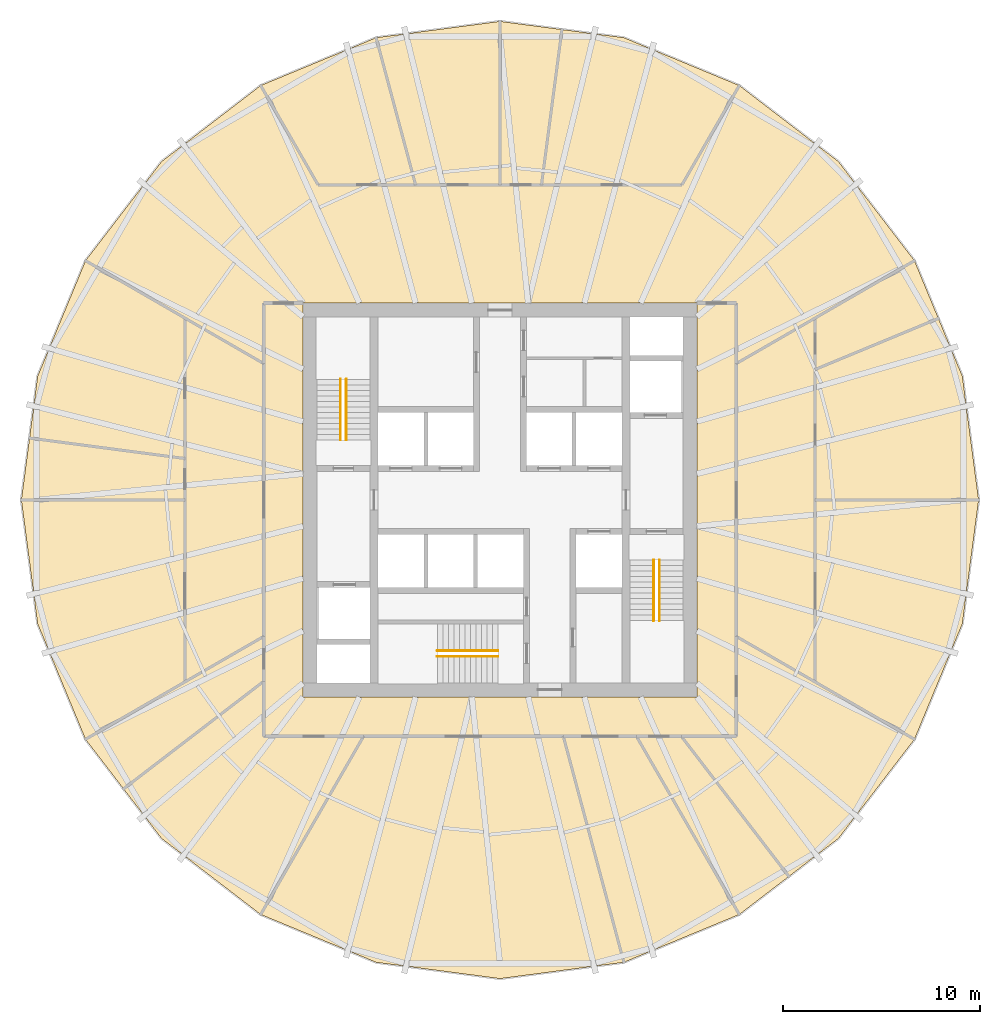
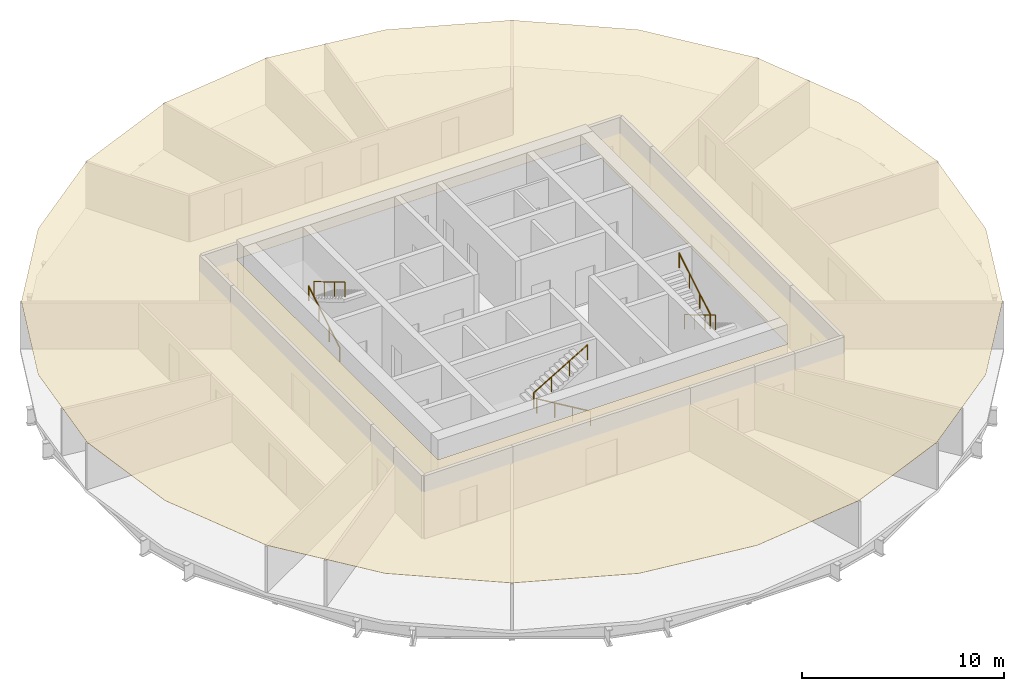
# One storey, part 6 of 6: 6 railings, 1 covering.
"""IFC4 building model written with IfcOpenShell, lengths in metres."""

import ifcopenshell
import ifcopenshell.guid

model = None  # the IFC model being written
_history = None  # IfcOwnerHistory: only IFC2X3 demands one
_inside = {}  # id of a spatial element -> (the spatial element, [elements in it])
_under = {}  # id of a project, library or spatial element -> (it, [spatial elements below it])
_declared = {}  # id of a project -> (the project, [libraries it declares])
_typed = {}  # id of a type object -> (the type object, [elements of that type])
_made_of = {}  # id of a material, layer set ... -> (it, [elements and type objects made of it])


def new_model(schema):
    """Start an empty IFC model of exactly this schema.

    Asked for "IFC4X3", IfcOpenShell would pick the latest addendum, in which some entities
    have other attributes; the version numbers below select the first issue.
    IFC2X3 requires an IfcOwnerHistory on every rooted entity: one is made here for all.
    """
    global model, _history
    if schema == "IFC4X3":
        model = ifcopenshell.file(schema_version=(4, 3, 0, 0))
    else:
        model = ifcopenshell.file(schema=schema)
    _inside.clear()
    _under.clear()
    _declared.clear()
    _typed.clear()
    _made_of.clear()
    _history = None
    if model.schema == "IFC2X3":
        org = make("IfcOrganization", Name="unknown")
        user = make(
            "IfcPersonAndOrganization",
            ThePerson=make("IfcPerson", FamilyName="unknown"),
            TheOrganization=org,
        )
        app = make(
            "IfcApplication",
            ApplicationDeveloper=org,
            Version="unknown",
            ApplicationFullName="unknown",
            ApplicationIdentifier="unknown",
        )
        _history = make(
            "IfcOwnerHistory",
            OwningUser=user,
            OwningApplication=app,
            ChangeAction="ADDED",
            CreationDate=0,
        )
    return model


def make(cls, **values):
    """One entity of the class cls with the attributes given. An attribute that is None is left unset."""
    return model.create_entity(
        cls, **{name: value for name, value in values.items() if value is not None}
    )


def rooted(cls, **values):
    """An entity with a GlobalId (a new one), such as an element, a storey or a relation."""
    return make(cls, GlobalId=ifcopenshell.guid.new(), OwnerHistory=_history, **values)


def si_unit(unit_type, name, prefix=None):
    """IfcSIUnit, for example si_unit("LENGTHUNIT", "METRE", prefix="MILLI")."""
    return make("IfcSIUnit", UnitType=unit_type, Prefix=prefix, Name=name)


def assignment(units):
    """IfcUnitAssignment: the units of a project."""
    return None if units is None else make("IfcUnitAssignment", Units=units)


def point(xyz):
    """IfcCartesianPoint."""
    return None if xyz is None else make("IfcCartesianPoint", Coordinates=xyz)


def direction(xyz):
    """IfcDirection."""
    return None if xyz is None else make("IfcDirection", DirectionRatios=xyz)


def frame(location, z_axis=None, x_axis=None):
    """IfcAxis2Placement3D, a coordinate frame: its origin and axes. An axis left out is left unset."""
    return make(
        "IfcAxis2Placement3D",
        Location=point(location),
        Axis=direction(z_axis),
        RefDirection=direction(x_axis),
    )


def frame_2d(location, x_axis=None):
    """IfcAxis2Placement2D, a coordinate frame in the plane: its origin and x axis."""
    return make(
        "IfcAxis2Placement2D", Location=point(location), RefDirection=direction(x_axis)
    )


def origin():
    """The frame at (0, 0, 0) with its axes left unset."""
    return frame((0.0, 0.0, 0.0))


def origin_2d():
    """The frame at (0, 0) in the plane with its x axis left unset."""
    return frame_2d((0.0, 0.0))


def place(relative_to, where):
    """IfcLocalPlacement: puts the frame where relative to a parent placement (None: the world)."""
    return make(
        "IfcLocalPlacement", PlacementRelTo=relative_to, RelativePlacement=where
    )


def context(
    kind, dimensions, precision=None, world=None, true_north=None, identifier=None
):
    """IfcGeometricRepresentationContext, for example the 3D "Model" context."""
    return make(
        "IfcGeometricRepresentationContext",
        ContextIdentifier=identifier,
        ContextType=kind,
        CoordinateSpaceDimension=dimensions,
        Precision=precision,
        WorldCoordinateSystem=world,
        TrueNorth=true_north,
    )


def subcontext(parent, identifier, kind, view, scale=None):
    """IfcGeometricRepresentationSubContext, for example "Body" below "Model"."""
    return make(
        "IfcGeometricRepresentationSubContext",
        ContextIdentifier=identifier,
        ContextType=kind,
        ParentContext=parent,
        TargetScale=scale,
        TargetView=view,
    )


def project(units=None, contexts=None):
    """IfcProject with its units and contexts."""
    return rooted(
        "IfcProject",
        Name="project",
        RepresentationContexts=contexts,
        UnitsInContext=assignment(units),
    )


def spatial(cls, under=None, at=None, **own):
    """A site, building, storey or space (cls), placed at a placement, below another one or the project."""
    s = rooted(cls, ObjectPlacement=at, **own)
    if under is not None:
        _under.setdefault(under.id(), (under, []))[1].append(s)
    return s


def polyline(points):
    """IfcPolyline through the points."""
    return make("IfcPolyline", Points=[point(p) for p in points])


def profile(cls, at=None, kind="AREA", **sizes):
    """A parametric profile (cls). Its sizes go by their IFC names, for example OverallWidth=200.0."""
    return make(cls, ProfileType=kind, Position=at, **sizes)


def circle(**sizes):
    """IfcCircleProfileDef."""
    return profile("IfcCircleProfileDef", **sizes)


def outline(outer, holes=None, kind="AREA"):
    """IfcArbitraryClosedProfileDef: a profile drawn as a closed curve; with holes, ...WithVoids."""
    if holes is None:
        return make("IfcArbitraryClosedProfileDef", ProfileType=kind, OuterCurve=outer)
    return make(
        "IfcArbitraryProfileDefWithVoids",
        ProfileType=kind,
        OuterCurve=outer,
        InnerCurves=holes,
    )


def extrude(swept, where, along, depth):
    """IfcExtrudedAreaSolid: the profile swept, set in the frame where, extruded along a direction by depth."""
    return make(
        "IfcExtrudedAreaSolid",
        SweptArea=swept,
        Position=where,
        ExtrudedDirection=direction(along),
        Depth=depth,
    )


def shape(context_of_items, identifier, shape_type, items):
    """IfcShapeRepresentation: the items that make up one representation, for example the "Body"."""
    return make(
        "IfcShapeRepresentation",
        ContextOfItems=context_of_items,
        RepresentationIdentifier=identifier,
        RepresentationType=shape_type,
        Items=items,
    )


def material(Name=None, Category=None):
    """IfcMaterial."""
    return make("IfcMaterial", Name=Name, Category=Category)


def layer(
    of_material, thickness, ventilated=None, Name=None, Category=None, Priority=None
):
    """IfcMaterialLayer: one layer of a wall or slab, of a material (None: an air gap)."""
    return make(
        "IfcMaterialLayer",
        Material=of_material,
        LayerThickness=thickness,
        IsVentilated=ventilated,
        Name=Name,
        Category=Category,
        Priority=Priority,
    )


def layer_set(layers, Name=None):
    """IfcMaterialLayerSet."""
    return make("IfcMaterialLayerSet", MaterialLayers=layers, LayerSetName=Name)


def made_of(thing, what):
    """Note that an element or type object is made of a material, layer set ...; save() writes the relation."""
    if what is not None:
        _made_of.setdefault(what.id(), (what, []))[1].append(thing)
    return thing


def type_object(cls, material=None, **own):
    """A type object (cls), such as IfcWallType, which elements share."""
    return made_of(rooted(cls, **own), material)


def element(
    cls,
    number,
    at=None,
    inside=None,
    cuts=None,
    type_object=None,
    material=None,
    context=None,
    identifier="Body",
    shape_type=None,
    held_by="IfcProductDefinitionShape",
    body=None,
    shapes=None,
    **own,
):
    """One element of the class cls, such as IfcWall. Its Tag is "e" and its number.

    at: its placement. inside: the storey or other place that contains it. cuts: it is an
    opening in that element (IfcRelVoidsElement). A single representation is given by context,
    identifier, shape_type and body (its items); several are given by shapes. held_by: the class
    of the entity that holds the representations. save() writes the other relations.
    """
    e = rooted(cls, Tag="e%d" % number, ObjectPlacement=at, **own)
    if body is not None:
        shapes = [shape(context, identifier, shape_type, body)]
    if shapes is not None:
        e.Representation = make(held_by, Representations=shapes)
    if inside is not None:
        _inside.setdefault(inside.id(), (inside, []))[1].append(e)
    if cuts is not None:
        rooted(
            "IfcRelVoidsElement", RelatingBuildingElement=cuts, RelatedOpeningElement=e
        )
    if type_object is not None:
        _typed.setdefault(type_object.id(), (type_object, []))[1].append(e)
    return made_of(e, material)


def aggregate(whole, parts):
    """IfcRelAggregates: a whole, such as a stair, and the parts it consists of."""
    return rooted("IfcRelAggregates", RelatingObject=whole, RelatedObjects=parts)


def save(model, path):
    """Write the relations noted so far, then the file.

    IfcRelAggregates (storeys below a building ...), IfcRelContainedInSpatialStructure (elements
    in a storey), IfcRelDefinesByType, IfcRelAssociatesMaterial and IfcRelDeclares: one each for
    every whole, place, type object, material and project.
    """
    for whole, parts in _under.values():
        aggregate(whole, parts)
    for where, things in _inside.values():
        rooted(
            "IfcRelContainedInSpatialStructure",
            RelatedElements=things,
            RelatingStructure=where,
        )
    for kind, things in _typed.values():
        rooted("IfcRelDefinesByType", RelatedObjects=things, RelatingType=kind)
    for what, things in _made_of.values():
        rooted("IfcRelAssociatesMaterial", RelatedObjects=things, RelatingMaterial=what)
    for by, libraries in _declared.values():
        rooted("IfcRelDeclares", RelatingContext=by, RelatedDefinitions=libraries)
    model.write(path)


model = new_model("IFC4")

# Units and contexts
model_context = context("Model", 3, precision=1e-05, world=origin(), true_north=direction((0.0, 1.0)))
body_context = subcontext(model_context, "Body", "Model", "MODEL_VIEW")
ifc_project = project(units=[si_unit("LENGTHUNIT", "METRE"), si_unit("AREAUNIT", "SQUARE_METRE"), si_unit("VOLUMEUNIT", "CUBIC_METRE"), si_unit("PLANEANGLEUNIT", "RADIAN"), si_unit("MASSUNIT", "GRAM", prefix="KILO")], contexts=[model_context])

# Site, building, storey
site_placement = place(None, origin())
site = spatial("IfcSite", under=ifc_project, at=site_placement, CompositionType="ELEMENT")
building_placement = place(site_placement, origin())
building = spatial("IfcBuilding", under=site, at=building_placement, Name="Golbaran Civic Tower", CompositionType="ELEMENT")
storey_placement = place(building_placement, frame((0.0, 0.0, 98.0)))
storey = spatial("IfcBuildingStorey", under=building, at=storey_placement, Name="L23", CompositionType="ELEMENT", Elevation=98.0)

# Railings
ifc_material_1 = material(Name="Stainless steel", Category="steel")
railing_type = type_object("IfcRailingType", Name="STAIR HANDRAIL 900", PredefinedType="HANDRAIL", material=ifc_material_1)
railing_1_placement = place(storey_placement, frame((-8.10009765625, 3.050048828125, 0.166748046875)))
element("IfcRailing", 1, at=railing_1_placement, inside=storey, type_object=railing_type, Name="Stair S1 handrail flight 1 L23", PredefinedType="HANDRAIL", context=body_context, shape_type="SweptSolid", body=[
    extrude(circle(Radius=0.02392578125, at=origin_2d()), frame((0.0, 0.0, 0.8759765625), z_axis=(0.0, 0.859290745958, 0.51148745235), x_axis=(-1.0, 0.0, 0.0)), (0.0, 0.0, 1.0), 3.584228515625),
    extrude(circle(Radius=0.02099609375, at=origin_2d()), origin(), (0.0, 0.0, 1.0), 0.851806640625),
    extrude(circle(Radius=0.02099609375, at=origin_2d()), frame((0.0, 1.026611328125, 0.611083984375)), (0.0, 0.0, 1.0), 0.851806640625),
    extrude(circle(Radius=0.02099609375, at=origin_2d()), frame((0.0, 2.05322265625, 1.22216796875)), (0.0, 0.0, 1.0), 0.851806640625),
    extrude(circle(Radius=0.02099609375, at=origin_2d()), frame((0.0, 3.079833984375, 1.833251953125)), (0.0, 0.0, 1.0), 0.851806640625),
])
for number, where, name in (
    (2, (-7.800048828125, 6.1298828125, 2.166748046875), "Stair S1 handrail flight 2 L23"),
    (3, (8.10009765625, -3.050048828125, 0.166748046875), "Stair S2 handrail flight 1 L23"),
):
    element("IfcRailing", number, at=place(storey_placement, frame(where)), inside=storey, type_object=railing_type, Name=name, PredefinedType="HANDRAIL", context=body_context, shape_type="SweptSolid", body=[
        extrude(circle(Radius=0.02392578125, at=origin_2d()), frame((0.0, 0.0, 0.8759765625), z_axis=(0.0, -0.859290745958, 0.51148745235), x_axis=(1.0, 0.0, 0.0)), (0.0, 0.0, 1.0), 3.584228515625),
        extrude(circle(Radius=0.02099609375, at=origin_2d()), origin(), (0.0, 0.0, 1.0), 0.851806640625),
        extrude(circle(Radius=0.02099609375, at=origin_2d()), frame((0.0, -1.026611328125, 0.611083984375)), (0.0, 0.0, 1.0), 0.851806640625),
        extrude(circle(Radius=0.02099609375, at=origin_2d()), frame((0.0, -2.05322265625, 1.22216796875)), (0.0, 0.0, 1.0), 0.851806640625),
        extrude(circle(Radius=0.02099609375, at=origin_2d()), frame((0.0, -3.079833984375, 1.833251953125)), (0.0, 0.0, 1.0), 0.851806640625),
    ])
railing_2_placement = place(storey_placement, frame((7.800048828125, -6.1298828125, 2.166748046875)))
element("IfcRailing", 4, at=railing_2_placement, inside=storey, type_object=railing_type, Name="Stair S2 handrail flight 2 L23", PredefinedType="HANDRAIL", context=body_context, shape_type="SweptSolid", body=[
    extrude(circle(Radius=0.02392578125, at=origin_2d()), frame((0.0, 0.0, 0.8759765625), z_axis=(0.0, 0.859290745958, 0.51148745235), x_axis=(-1.0, 0.0, 0.0)), (0.0, 0.0, 1.0), 3.584228515625),
    extrude(circle(Radius=0.02099609375, at=origin_2d()), origin(), (0.0, 0.0, 1.0), 0.851806640625),
    extrude(circle(Radius=0.02099609375, at=origin_2d()), frame((0.0, 1.026611328125, 0.611083984375)), (0.0, 0.0, 1.0), 0.851806640625),
    extrude(circle(Radius=0.02099609375, at=origin_2d()), frame((0.0, 2.05322265625, 1.22216796875)), (0.0, 0.0, 1.0), 0.851806640625),
    extrude(circle(Radius=0.02099609375, at=origin_2d()), frame((0.0, 3.079833984375, 1.833251953125)), (0.0, 0.0, 1.0), 0.851806640625),
])
railing_3_placement = place(storey_placement, frame((-0.10009765625, -7.949951171875, 0.166748046875)))
element("IfcRailing", 5, at=railing_3_placement, inside=storey, type_object=railing_type, Name="Stair S3 handrail flight 1 L23", PredefinedType="HANDRAIL", context=body_context, shape_type="SweptSolid", body=[
    extrude(circle(Radius=0.02392578125, at=origin_2d()), frame((0.0, 0.0, 0.8759765625), z_axis=(-0.859290745958, 0.0, 0.51148745235), x_axis=(0.0, -1.0, 0.0)), (0.0, 0.0, 1.0), 3.584228515625),
    extrude(circle(Radius=0.02099609375, at=origin_2d()), origin(), (0.0, 0.0, 1.0), 0.851806640625),
    extrude(circle(Radius=0.02099609375, at=origin_2d()), frame((-1.026611328125, 0.0, 0.611083984375)), (0.0, 0.0, 1.0), 0.851806640625),
    extrude(circle(Radius=0.02099609375, at=origin_2d()), frame((-2.05322265625, 0.0, 1.22216796875)), (0.0, 0.0, 1.0), 0.851806640625),
    extrude(circle(Radius=0.02099609375, at=origin_2d()), frame((-3.079833984375, 0.0, 1.833251953125)), (0.0, 0.0, 1.0), 0.851806640625),
])
railing_4_placement = place(storey_placement, frame((-3.179931640625, -7.64990234375, 2.166748046875)))
element("IfcRailing", 6, at=railing_4_placement, inside=storey, type_object=railing_type, Name="Stair S3 handrail flight 2 L23", PredefinedType="HANDRAIL", context=body_context, shape_type="SweptSolid", body=[
    extrude(circle(Radius=0.02392578125, at=origin_2d()), frame((0.0, 0.0, 0.8759765625), z_axis=(0.859290745958, 0.0, 0.51148745235), x_axis=(0.0, 1.0, 0.0)), (0.0, 0.0, 1.0), 3.584228515625),
    extrude(circle(Radius=0.02099609375, at=origin_2d()), origin(), (0.0, 0.0, 1.0), 0.851806640625),
    extrude(circle(Radius=0.02099609375, at=origin_2d()), frame((1.026611328125, 0.0, 0.611083984375)), (0.0, 0.0, 1.0), 0.851806640625),
    extrude(circle(Radius=0.02099609375, at=origin_2d()), frame((2.05322265625, 0.0, 1.22216796875)), (0.0, 0.0, 1.0), 0.851806640625),
    extrude(circle(Radius=0.02099609375, at=origin_2d()), frame((3.079833984375, 0.0, 1.833251953125)), (0.0, 0.0, 1.0), 0.851806640625),
])

# Covering
ifc_material_2 = material(Name="Mineral fibre tile on steel grid", Category="steel")
ifc_layer = layer(ifc_material_2, 0.02001953125, Name="Mineral fibre tile on steel grid")
ifc_layer_set = layer_set([ifc_layer], Name="Mineral fibre tile on steel grid")
covering_type = type_object("IfcCoveringType", Name="SUSPENDED CEILING 600 TILE 20", PredefinedType="CEILING", material=ifc_layer_set)
covering_placement = place(storey_placement, frame((0.0, 0.0, 2.800048828125)))
element("IfcCovering", 7, at=covering_placement, inside=storey, type_object=covering_type, Name="Suspended ceiling L23", PredefinedType="CEILING", context=body_context, shape_type="SweptSolid", body=[
    extrude(outline(polyline([(-23.482666015625, 6.292236328125), (-21.053955078125, 12.155517578125), (-17.1904296875, 17.1904296875), (-12.155517578125, 21.053955078125), (-6.292236328125, 23.482666015625), (0.0, 24.31103515625), (6.292236328125, 23.482666015625), (12.155517578125, 21.053955078125), (17.1904296875, 17.1904296875), (21.053955078125, 12.155517578125), (23.482666015625, 6.292236328125), (24.31103515625, 0.0), (23.482666015625, -6.292236328125), (21.053955078125, -12.155517578125), (17.1904296875, -17.1904296875), (12.155517578125, -21.053955078125), (6.292236328125, -23.482666015625), (0.0, -24.31103515625), (-6.292236328125, -23.482666015625), (-12.155517578125, -21.053955078125), (-17.1904296875, -17.1904296875), (-21.053955078125, -12.155517578125), (-23.482666015625, -6.292236328125), (-24.31103515625, 0.0), (-23.482666015625, 6.292236328125)]), holes=[polyline([(-10.0, 10.0), (-10.0, -10.0), (10.0, -10.0), (10.0, 10.0), (-10.0, 10.0)])]), origin(), (0.0, 0.0, 1.0), 0.02001953125),
])

save(model, "model.ifc")
